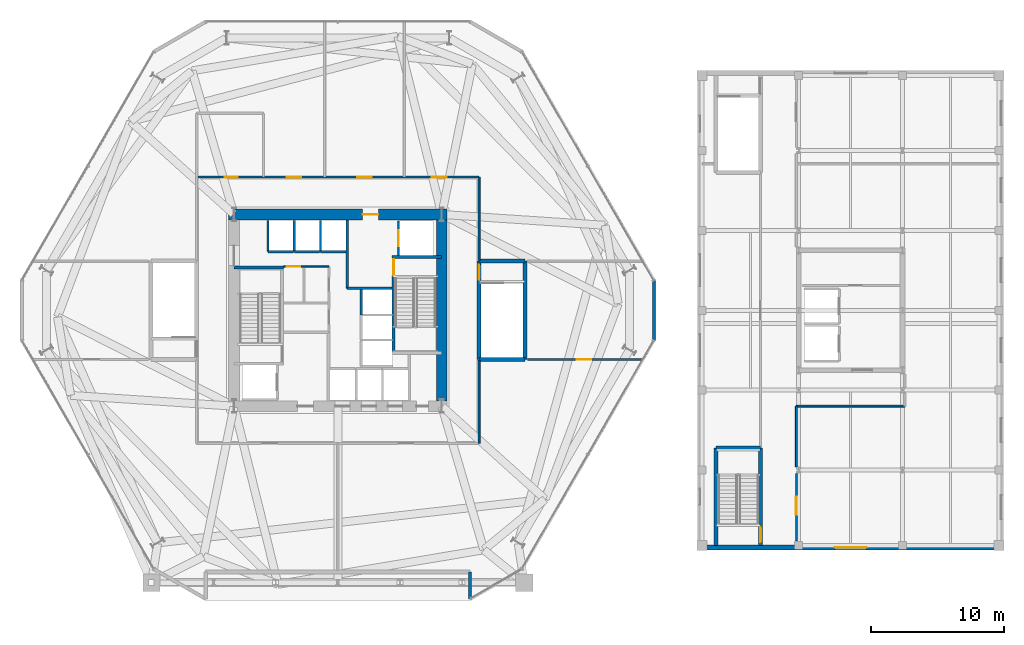
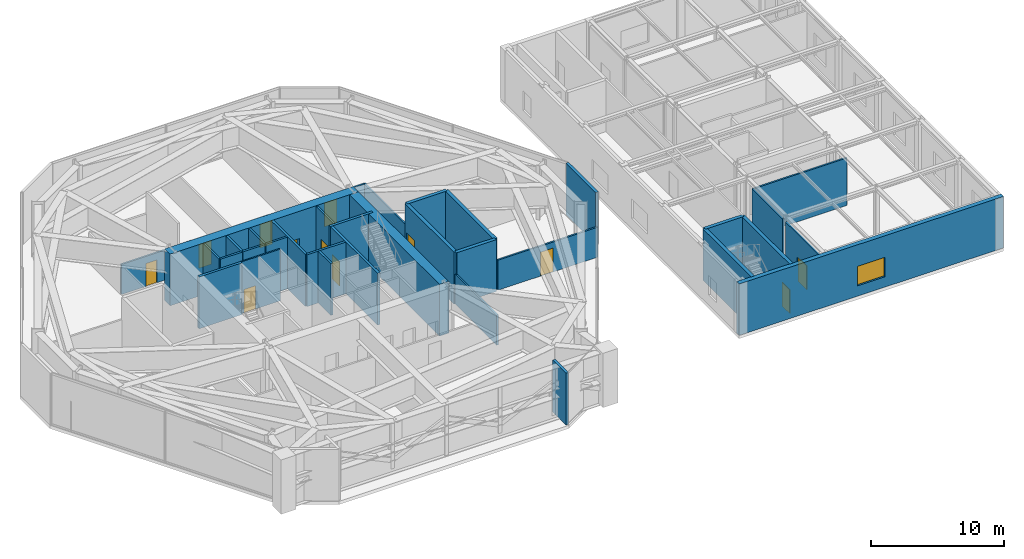
# One storey, part 12 of 16: 33 walls, 12 doors, 1 window, 13 openings.
"""IFC4 building model written with IfcOpenShell, lengths in metres."""

from ifc_helpers import new_model, si_unit, direction, frame, frame_2d, origin, place, context, subcontext, project, spatial, rectangle, extrude, material, layer, layer_set, type_object, element, fill, save


model = new_model("IFC4")

# Units and contexts
model_context = context("Model", 3, precision=1e-05, world=origin(), true_north=direction((0.0, 1.0)))
body_context = subcontext(model_context, "Body", "Model", "MODEL_VIEW")
ifc_project = project(units=[si_unit("LENGTHUNIT", "METRE"), si_unit("AREAUNIT", "SQUARE_METRE"), si_unit("VOLUMEUNIT", "CUBIC_METRE"), si_unit("PLANEANGLEUNIT", "RADIAN"), si_unit("MASSUNIT", "GRAM", prefix="KILO")], contexts=[model_context])

# Site, building, storey
site_placement = place(None, origin())
site = spatial("IfcSite", under=ifc_project, at=site_placement, CompositionType="ELEMENT")
building_placement = place(site_placement, origin())
building = spatial("IfcBuilding", under=site, at=building_placement, Name="Kranzbogen Civic Tower", CompositionType="ELEMENT")
storey_placement = place(building_placement, frame((0.0, 0.0, 19.0)))
storey = spatial("IfcBuildingStorey", under=building, at=storey_placement, Name="L04", CompositionType="ELEMENT", Elevation=19.0)

# Wall, openings, doors
ifc_material_1 = material(Name="Double-Stud Acoustic Gypsum Partition")
ifc_layer_1 = layer(ifc_material_1, 0.14990234375, Name="Double-Stud Acoustic Gypsum Partition")
ifc_layer_set_1 = layer_set([ifc_layer_1], Name="Double-Stud Acoustic Gypsum Partition")
wall_type_1 = type_object("IfcWallType", Name="Acoustic Corridor and Clinical Partition 150 mm", PredefinedType="PARTITIONING", material=ifc_layer_set_1)
wall_1_placement = place(storey_placement, frame((14.39990234375, 35.0, 0.0), z_axis=(0.0, 0.0, 1.0), x_axis=(1.0, 0.0, 0.0)))
wall_1 = element("IfcWall", 1, at=wall_1_placement, inside=storey, type_object=wall_type_1, Name="L04 podium concourse N wall", PredefinedType="PARTITIONING", context=body_context, shape_type="SweptSolid", body=[
    extrude(rectangle(XDim=21.2001953125, YDim=0.14990234375, at=frame_2d((10.60009765625, 0.0))), origin(), (0.0, 0.0, 1.0), 2.760009765625),
])
opening_1_placement = place(wall_1_placement, frame((2.1201171875, 0.0, 0.0)))
opening_1 = element("IfcOpeningElement", 2, at=opening_1_placement, cuts=wall_1, Name="Opening D-AWC95", PredefinedType="OPENING", context=body_context, shape_type="SweptSolid", body=[
    extrude(rectangle(XDim=0.949951171875, YDim=2.10009765625, at=frame_2d((0.47509765625, 1.050048828125))), frame((0.0, 0.0849609375, 0.0), z_axis=(0.0, -1.0, 0.0), x_axis=(1.0, 0.0, 0.0)), (0.0, 0.0, 1.0), 0.169921875),
])
opening_2_placement = place(wall_1_placement, frame((6.75, 0.0, 0.0)))
opening_2 = element("IfcOpeningElement", 3, at=opening_2_placement, cuts=wall_1, Name="Opening D-COR60", PredefinedType="OPENING", context=body_context, shape_type="SweptSolid", body=[
    extrude(rectangle(XDim=1.10009765625, YDim=2.199951171875, at=frame_2d((0.550048828125, 1.10009765625))), frame((0.0, 0.0849609375, 0.0), z_axis=(0.0, -1.0, 0.0), x_axis=(1.0, 0.0, 0.0)), (0.0, 0.0, 1.0), 0.169921875),
])
opening_3_placement = place(wall_1_placement, frame((17.666015625, 0.0, 0.0)))
opening_3 = element("IfcOpeningElement", 4, at=opening_3_placement, cuts=wall_1, Name="Opening D-COR60", PredefinedType="OPENING", context=body_context, shape_type="SweptSolid", body=[
    extrude(rectangle(XDim=1.10009765625, YDim=2.199951171875, at=frame_2d((0.550048828125, 1.10009765625))), frame((0.0, 0.0849609375, 0.0), z_axis=(0.0, -1.0, 0.0), x_axis=(1.0, 0.0, 0.0)), (0.0, 0.0, 1.0), 0.169921875),
])
opening_4_placement = place(wall_1_placement, frame((12.050048828125, 0.0, 0.0)))
opening_4 = element("IfcOpeningElement", 5, at=opening_4_placement, cuts=wall_1, Name="Opening D-COR60", PredefinedType="OPENING", context=body_context, shape_type="SweptSolid", body=[
    extrude(rectangle(XDim=1.10009765625, YDim=2.199951171875, at=frame_2d((0.550048828125, 1.10009765625))), frame((0.0, 0.0849609375, 0.0), z_axis=(0.0, -1.0, 0.0), x_axis=(1.0, 0.0, 0.0)), (0.0, 0.0, 1.0), 0.169921875),
])
ifc_material_2 = material(Name="Moisture-Resistant Laminate")
door_type_1 = type_object("IfcDoorType", Name="Accessible Restroom Door 950x2100", OperationType="NOTDEFINED", PredefinedType="DOOR", material=ifc_material_2)
door_1_placement = place(opening_1_placement, origin())
door_1 = element("IfcDoor", 6, at=door_1_placement, inside=storey, type_object=door_type_1, Name="L04 Public Restroom Suite door", OperationType="SINGLE_SWING_LEFT", OverallHeight=2.10009765625, OverallWidth=0.949951171875, PredefinedType="DOOR", context=body_context, shape_type="SweptSolid", body=[
    extrude(rectangle(XDim=0.949951171875, YDim=2.10009765625, at=frame_2d((0.47509765625, 1.050048828125))), frame((0.0, 0.02490234375, 0.0), z_axis=(0.0, -1.0, 0.0), x_axis=(1.0, 0.0, 0.0)), (0.0, 0.0, 1.0), 0.050048828125),
])
fill(opening_1, door_1)
ifc_material_3 = material(Name="Oak Timber and Fire Core", Category="wood")
door_type_2 = type_object("IfcDoorType", Name="Corridor Acoustic Fire Door 1100x2200", OperationType="NOTDEFINED", PredefinedType="DOOR", material=ifc_material_3)
door_2_placement = place(opening_2_placement, origin())
door_2 = element("IfcDoor", 7, at=door_2_placement, inside=storey, type_object=door_type_2, Name="L04 Exhibition and Model Gallery door", OperationType="SINGLE_SWING_RIGHT", OverallHeight=2.199951171875, OverallWidth=1.10009765625, PredefinedType="DOOR", context=body_context, shape_type="SweptSolid", body=[
    extrude(rectangle(XDim=1.10009765625, YDim=2.199951171875, at=frame_2d((0.550048828125, 1.10009765625))), frame((0.0, 0.02490234375, 0.0), z_axis=(0.0, -1.0, 0.0), x_axis=(1.0, 0.0, 0.0)), (0.0, 0.0, 1.0), 0.050048828125),
])
fill(opening_2, door_2)
door_3_placement = place(opening_3_placement, origin())
door_3 = element("IfcDoor", 8, at=door_3_placement, inside=storey, type_object=door_type_2, Name="L04 Transfer Structure Gallery door", OperationType="SINGLE_SWING_LEFT", OverallHeight=2.199951171875, OverallWidth=1.10009765625, PredefinedType="DOOR", context=body_context, shape_type="SweptSolid", body=[
    extrude(rectangle(XDim=1.10009765625, YDim=2.199951171875, at=frame_2d((0.550048828125, 1.10009765625))), frame((0.0, 0.02490234375, 0.0), z_axis=(0.0, -1.0, 0.0), x_axis=(1.0, 0.0, 0.0)), (0.0, 0.0, 1.0), 0.050048828125),
])
fill(opening_3, door_3)
door_4_placement = place(opening_4_placement, origin())
door_4 = element("IfcDoor", 9, at=door_4_placement, inside=storey, type_object=door_type_2, Name="L04 Staff Catering Lounge door", OperationType="SINGLE_SWING_RIGHT", OverallHeight=2.199951171875, OverallWidth=1.10009765625, PredefinedType="DOOR", context=body_context, shape_type="SweptSolid", body=[
    extrude(rectangle(XDim=1.10009765625, YDim=2.199951171875, at=frame_2d((0.550048828125, 1.10009765625))), frame((0.0, 0.02490234375, 0.0), z_axis=(0.0, -1.0, 0.0), x_axis=(1.0, 0.0, 0.0)), (0.0, 0.0, 1.0), 0.050048828125),
])
fill(opening_4, door_4)

# Walls
for number, where, z_axis, x_axis, name in (
    (10, (35.60009765625, 15.0, 0.0), (0.0, 0.0, 1.0), (0.0, 1.0, 0.0), "L04 podium concourse E1 wall"),
    (11, (35.60009765625, 28.75, 0.0), (0.0, 0.0, 1.0), (0.0, 1.0, 0.0), "L04 podium concourse E2 wall"),
):
    element("IfcWall", number, at=place(storey_placement, frame(where, z_axis=z_axis, x_axis=x_axis)), inside=storey, type_object=wall_type_1, Name=name, PredefinedType="PARTITIONING", context=body_context, shape_type="SweptSolid", body=[
        extrude(rectangle(XDim=6.25, YDim=0.14990234375, at=frame_2d((3.125, 0.0))), origin(), (0.0, 0.0, 1.0), 2.760009765625),
    ])

# Wall, opening, door
wall_2_placement = place(storey_placement, frame((39.22998046875, 21.300048828125, 0.0), z_axis=(0.0, 0.0, 1.0), x_axis=(1.0, 0.0, 0.0)))
wall_2 = element("IfcWall", 12, at=wall_2_placement, inside=storey, type_object=wall_type_1, Name="L04 podium partition 06", PredefinedType="PARTITIONING", context=body_context, shape_type="SweptSolid", body=[
    extrude(rectangle(XDim=8.68994140625, YDim=0.14990234375, at=frame_2d((4.344970703125, 0.0))), origin(), (0.0, 0.0, 1.0), 2.760009765625),
])
opening_5_placement = place(wall_2_placement, frame((3.7060546875, 0.0, 0.0)))
opening_5 = element("IfcOpeningElement", 13, at=opening_5_placement, cuts=wall_2, Name="Opening D-COR60", PredefinedType="OPENING", context=body_context, shape_type="SweptSolid", body=[
    extrude(rectangle(XDim=1.10009765625, YDim=2.199951171875, at=frame_2d((0.550048828125, 1.10009765625))), frame((0.0, 0.0849609375, 0.0), z_axis=(0.0, -1.0, 0.0), x_axis=(1.0, 0.0, 0.0)), (0.0, 0.0, 1.0), 0.169921875),
])
door_5_placement = place(opening_5_placement, origin())
door_5 = element("IfcDoor", 14, at=door_5_placement, inside=storey, type_object=door_type_2, Name="L04 Press Conference Room door", OperationType="SINGLE_SWING_RIGHT", OverallHeight=2.199951171875, OverallWidth=1.10009765625, PredefinedType="DOOR", context=body_context, shape_type="SweptSolid", body=[
    extrude(rectangle(XDim=1.10009765625, YDim=2.199951171875, at=frame_2d((0.550048828125, 1.10009765625))), frame((0.0, 0.02490234375, 0.0), z_axis=(0.0, -1.0, 0.0), x_axis=(1.0, 0.0, 0.0)), (0.0, 0.0, 1.0), 0.050048828125),
])
fill(opening_5, door_5)

wall_3_placement = place(storey_placement, frame((59.425048828125, 7.68994140625, 0.0), z_axis=(0.0, 0.0, 1.0), x_axis=(0.0, 1.0, 0.0)))
wall_3 = element("IfcWall", 15, at=wall_3_placement, inside=storey, type_object=wall_type_1, Name="L04 clinical corridor E1 wall part 1", PredefinedType="PARTITIONING", context=body_context, shape_type="SweptSolid", body=[
    extrude(rectangle(XDim=5.070068359375, YDim=0.14990234375, at=frame_2d((2.53515625, 0.0))), origin(), (0.0, 0.0, 1.0), 4.3701171875),
])
opening_6_placement = place(wall_3_placement, frame((1.948974609375, 0.0, 0.0)))
opening_6 = element("IfcOpeningElement", 16, at=opening_6_placement, cuts=wall_3, Name="Opening D-CLN60", PredefinedType="OPENING", context=body_context, shape_type="SweptSolid", body=[
    extrude(rectangle(XDim=1.35009765625, YDim=2.199951171875, at=frame_2d((0.675048828125, 1.10009765625))), frame((0.0, 0.0849609375, 0.0), z_axis=(0.0, -1.0, 0.0), x_axis=(1.0, 0.0, 0.0)), (0.0, 0.0, 1.0), 0.169921875),
])
ifc_material_4 = material(Name="Pale Anodised Aluminium", Category="aluminium")
door_type_3 = type_object("IfcDoorType", Name="Clinical Wide Leaf Door 1350x2200", OperationType="NOTDEFINED", PredefinedType="DOOR", material=ifc_material_4)
door_6_placement = place(opening_6_placement, origin())
door_6 = element("IfcDoor", 17, at=door_6_placement, inside=storey, type_object=door_type_3, Name="L04 Sterile Instrument Store door", OperationType="SINGLE_SWING_LEFT", OverallHeight=2.199951171875, OverallWidth=1.35009765625, PredefinedType="DOOR", context=body_context, shape_type="SweptSolid", body=[
    extrude(rectangle(XDim=1.35009765625, YDim=2.199951171875, at=frame_2d((0.675048828125, 1.10009765625))), frame((0.0, 0.02490234375, 0.0), z_axis=(0.0, -1.0, 0.0), x_axis=(1.0, 0.0, 0.0)), (0.0, 0.0, 1.0), 0.050048828125),
])
fill(opening_6, door_6)

# Walls
wall_4_placement = place(storey_placement, frame((59.425048828125, 13.239990234375, 0.0), z_axis=(0.0, 0.0, 1.0), x_axis=(0.0, 1.0, 0.0)))
element("IfcWall", 18, at=wall_4_placement, inside=storey, type_object=wall_type_1, Name="L04 clinical corridor E1 wall part 2", PredefinedType="PARTITIONING", context=body_context, shape_type="SweptSolid", body=[
    extrude(rectangle(XDim=4.56005859375, YDim=0.14990234375, at=frame_2d((2.280029296875, 0.0))), origin(), (0.0, 0.0, 1.0), 4.3701171875),
])
wall_5_placement = place(storey_placement, frame((59.425048828125, 17.800048828125, 0.0), z_axis=(0.0, 0.0, 1.0), x_axis=(1.0, 0.0, 0.0)))
element("IfcWall", 19, at=wall_5_placement, inside=storey, type_object=wall_type_1, Name="L04 clinical partition 02", PredefinedType="PARTITIONING", context=body_context, shape_type="SweptSolid", body=[
    extrude(rectangle(XDim=8.14990234375, YDim=0.14990234375, at=frame_2d((4.074951171875, 0.0))), origin(), (0.0, 0.0, 1.0), 4.3701171875),
])

# Wall, opening, door
ifc_material_5 = material(Name="Insulated Metal-Stud Gypsum Partition")
ifc_layer_2 = layer(ifc_material_5, 0.125, Name="Insulated Metal-Stud Gypsum Partition")
ifc_layer_set_2 = layer_set([ifc_layer_2], Name="Insulated Metal-Stud Gypsum Partition")
wall_type_2 = type_object("IfcWallType", Name="Acoustic Inter-Room Partition 125 mm", PredefinedType="PARTITIONING", material=ifc_layer_set_2)
wall_6_placement = place(storey_placement, frame((20.919921875, 28.280029296875, 0.0), z_axis=(0.0, 0.0, 1.0), x_axis=(1.0, 0.0, 0.0)))
wall_6 = element("IfcWall", 20, at=wall_6_placement, inside=storey, type_object=wall_type_2, Name="L04 core auxiliary North wall", PredefinedType="PARTITIONING", context=body_context, shape_type="SweptSolid", body=[
    extrude(rectangle(XDim=3.405029296875, YDim=0.125, at=frame_2d((1.70263671875, 0.0))), origin(), (0.0, 0.0, 1.0), 4.760009765625),
])
opening_7_placement = place(wall_6_placement, frame((0.2548828125, 0.0, 0.0)))
opening_7 = element("IfcOpeningElement", 21, at=opening_7_placement, cuts=wall_6, Name="Opening D-RSR10", PredefinedType="OPENING", context=body_context, shape_type="SweptSolid", body=[
    extrude(rectangle(XDim=1.0, YDim=2.14990234375, at=frame_2d((0.5, 1.074951171875))), frame((0.0, 0.072509765625, 0.0), z_axis=(0.0, -1.0, 0.0), x_axis=(1.0, 0.0, 0.0)), (0.0, 0.0, 1.0), 0.14501953125),
])
door_type_4 = type_object("IfcDoorType", Name="Core Archive and Riser Fire Door 1000x2150", OperationType="NOTDEFINED", PredefinedType="DOOR", material=ifc_material_3)
door_7_placement = place(opening_7_placement, origin())
door_7 = element("IfcDoor", 22, at=door_7_placement, inside=storey, type_object=door_type_4, Name="L04 Telecom and Riser Room door", OperationType="SINGLE_SWING_LEFT", OverallHeight=2.14990234375, OverallWidth=1.0, PredefinedType="DOOR", context=body_context, shape_type="SweptSolid", body=[
    extrude(rectangle(XDim=1.0, YDim=2.14990234375, at=frame_2d((0.5, 1.074951171875))), frame((0.0, 0.02490234375, 0.0), z_axis=(0.0, -1.0, 0.0), x_axis=(1.0, 0.0, 0.0)), (0.0, 0.0, 1.0), 0.050048828125),
])
fill(opening_7, door_7)

ifc_material_6 = material(Name="Concrete C55/67", Category="concrete")
ifc_layer_3 = layer(ifc_material_6, 0.800048828125, Name="Concrete C55/67")
ifc_layer_set_3 = layer_set([ifc_layer_3], Name="Concrete C55/67")
wall_type_3 = type_object("IfcWallType", Name="Central Core Shear Wall 800 mm", PredefinedType="SHEAR", material=ifc_layer_set_3)
wall_7_placement = place(storey_placement, frame((33.199951171875, 32.199951171875, 0.0), z_axis=(0.0, 0.0, 1.0), x_axis=(-1.0, 0.0, 0.0)))
wall_7 = element("IfcWall", 23, at=wall_7_placement, inside=storey, type_object=wall_type_3, Name="L04 central core North shear wall", PredefinedType="SHEAR", context=body_context, shape_type="SweptSolid", body=[
    extrude(rectangle(XDim=16.39990234375, YDim=0.800048828125, at=frame_2d((8.199951171875, 0.0))), origin(), (0.0, 0.0, 1.0), 4.760009765625),
])
opening_8_placement = place(wall_7_placement, frame((5.14990234375, 0.0, 0.0)))
opening_8 = element("IfcOpeningElement", 24, at=opening_8_placement, cuts=wall_7, Name="Opening D-EX120", PredefinedType="OPENING", context=body_context, shape_type="SweptSolid", body=[
    extrude(rectangle(XDim=1.199951171875, YDim=2.25, at=frame_2d((0.60009765625, 1.125))), frame((0.0, 0.41015625, 0.0), z_axis=(0.0, -1.0, 0.0), x_axis=(1.0, 0.0, 0.0)), (0.0, 0.0, 1.0), 0.820068359375),
])
ifc_material_7 = material(Name="Steel S355", Category="steel")
door_type_5 = type_object("IfcDoorType", Name="Exit Passageway Fire Door 1200x2250", OperationType="NOTDEFINED", PredefinedType="DOOR", material=ifc_material_7)
door_8_placement = place(opening_8_placement, origin())
door_8 = element("IfcDoor", 25, at=door_8_placement, inside=storey, type_object=door_type_5, Name="L04 East firefighting lobby corridor door", OperationType="SINGLE_SWING_LEFT", OverallHeight=2.25, OverallWidth=1.199951171875, PredefinedType="DOOR", context=body_context, shape_type="SweptSolid", body=[
    extrude(rectangle(XDim=1.199951171875, YDim=2.25, at=frame_2d((0.60009765625, 1.125))), frame((0.0, 0.02490234375, 0.0), z_axis=(0.0, -1.0, 0.0), x_axis=(1.0, 0.0, 0.0)), (0.0, 0.0, 1.0), 0.050048828125),
])
fill(opening_8, door_8)

# Walls
wall_8_placement = place(storey_placement, frame((32.800048828125, 18.199951171875, 0.0), z_axis=(0.0, 0.0, 1.0), x_axis=(0.0, 1.0, 0.0)))
element("IfcWall", 26, at=wall_8_placement, inside=storey, type_object=wall_type_3, Name="L04 central core East shear wall", PredefinedType="SHEAR", context=body_context, shape_type="SweptSolid", body=[
    extrude(rectangle(XDim=13.60009765625, YDim=0.800048828125, at=frame_2d((6.800048828125, 0.0))), origin(), (0.0, 0.0, 1.0), 4.760009765625),
])
ifc_material_8 = material(Name="Concrete C45/55", Category="concrete")
ifc_layer_4 = layer(ifc_material_8, 0.219970703125, Name="Concrete C45/55")
ifc_layer_set_4 = layer_set([ifc_layer_4], Name="Concrete C45/55")
wall_type_4 = type_object("IfcWallType", Name="Core Internal Stair Structural Wall 220 mm", PredefinedType="SOLIDWALL", material=ifc_layer_set_4)
wall_9_placement = place(storey_placement, frame((17.199951171875, 28.2099609375, 0.0), z_axis=(0.0, 0.0, 1.0), x_axis=(1.0, 0.0, 0.0)))
element("IfcWall", 27, at=wall_9_placement, inside=storey, type_object=wall_type_4, Name="L04 ST-T1 North structural stair wall", PredefinedType="SOLIDWALL", context=body_context, shape_type="SweptSolid", body=[
    extrude(rectangle(XDim=3.719970703125, YDim=0.219970703125, at=frame_2d((1.85986328125, 0.0))), origin(), (0.0, 0.0, 1.0), 4.760009765625),
])

# Wall, opening, door
wall_10_placement = place(storey_placement, frame((29.18994140625, 21.7900390625, 0.0), z_axis=(0.0, 0.0, 1.0), x_axis=(0.0, 1.0, 0.0)))
wall_10 = element("IfcWall", 28, at=wall_10_placement, inside=storey, type_object=wall_type_4, Name="L04 ST-T2 West structural stair wall", PredefinedType="SOLIDWALL", context=body_context, shape_type="SweptSolid", body=[
    extrude(rectangle(XDim=7.219970703125, YDim=0.219970703125, at=frame_2d((3.60986328125, 0.0))), origin(), (0.0, 0.0, 1.0), 4.760009765625),
])
opening_9_placement = place(wall_10_placement, frame((5.8798828125, 0.0, 0.0)))
opening_9 = element("IfcOpeningElement", 29, at=opening_9_placement, cuts=wall_10, Name="Opening D-ST90", PredefinedType="OPENING", context=body_context, shape_type="SweptSolid", body=[
    extrude(rectangle(XDim=1.14990234375, YDim=2.199951171875, at=frame_2d((0.574951171875, 1.10009765625))), frame((0.0, 0.1201171875, 0.0), z_axis=(0.0, -1.0, 0.0), x_axis=(1.0, 0.0, 0.0)), (0.0, 0.0, 1.0), 0.239990234375),
])
door_type_6 = type_object("IfcDoorType", Name="Pressurized Stair and Lobby Fire Door 1150x2200", OperationType="NOTDEFINED", PredefinedType="DOOR", material=ifc_material_7)
door_9_placement = place(opening_9_placement, origin())
door_9 = element("IfcDoor", 30, at=door_9_placement, inside=storey, type_object=door_type_6, Name="L04 Stair ST-T2 fire door", OperationType="SINGLE_SWING_LEFT", OverallHeight=2.199951171875, OverallWidth=1.14990234375, PredefinedType="DOOR", context=body_context, shape_type="SweptSolid", body=[
    extrude(rectangle(XDim=1.14990234375, YDim=2.199951171875, at=frame_2d((0.574951171875, 1.10009765625))), frame((0.0, 0.02490234375, 0.0), z_axis=(0.0, -1.0, 0.0), x_axis=(1.0, 0.0, 0.0)), (0.0, 0.0, 1.0), 0.050048828125),
])
fill(opening_9, door_9)

# Walls
wall_11_placement = place(storey_placement, frame((29.080078125, 29.010009765625, 0.0), z_axis=(0.0, 0.0, 1.0), x_axis=(1.0, 0.0, 0.0)))
element("IfcWall", 31, at=wall_11_placement, inside=storey, type_object=wall_type_4, Name="L04 ST-T2 North structural stair wall", PredefinedType="SOLIDWALL", context=body_context, shape_type="SweptSolid", body=[
    extrude(rectangle(XDim=3.719970703125, YDim=0.219970703125, at=frame_2d((1.85986328125, 0.0))), origin(), (0.0, 0.0, 1.0), 4.760009765625),
])
ifc_material_9 = material(Name="Gypsum Fireboard and Concrete Block", Category="concrete")
ifc_layer_5 = layer(ifc_material_9, 0.199951171875, Name="Gypsum Fireboard and Concrete Block")
ifc_layer_set_5 = layer_set([ifc_layer_5], Name="Gypsum Fireboard and Concrete Block")
wall_type_5 = type_object("IfcWallType", Name="Fire-Rated Exit Passageway and Stair Wall 200 mm", PredefinedType="PARTITIONING", material=ifc_layer_set_5)
wall_12_placement = place(storey_placement, frame((25.699951171875, 26.64990234375, 0.0), z_axis=(0.0, 0.0, 1.0), x_axis=(0.0, 1.0, 0.0)))
element("IfcWall", 32, at=wall_12_placement, inside=storey, type_object=wall_type_5, Name="L04 East firefighting lobby West wall", PredefinedType="PARTITIONING", context=body_context, shape_type="SweptSolid", body=[
    extrude(rectangle(XDim=5.150146484375, YDim=0.199951171875, at=frame_2d((2.5751953125, 0.0))), origin(), (0.0, 0.0, 1.0), 4.760009765625),
])
wall_13_placement = place(storey_placement, frame((25.699951171875, 26.64990234375, 0.0), z_axis=(0.0, 0.0, 1.0), x_axis=(1.0, 0.0, 0.0)))
element("IfcWall", 33, at=wall_13_placement, inside=storey, type_object=wall_type_5, Name="L04 East firefighting lobby South wall", PredefinedType="PARTITIONING", context=body_context, shape_type="SweptSolid", body=[
    extrude(rectangle(XDim=3.380126953125, YDim=0.199951171875, at=frame_2d((1.68994140625, 0.0))), origin(), (0.0, 0.0, 1.0), 4.760009765625),
])
ifc_material_10 = material(Name="Gypsum Fireboard Shaftliner")
ifc_layer_6 = layer(ifc_material_10, 0.175048828125, Name="Gypsum Fireboard Shaftliner")
ifc_layer_set_6 = layer_set([ifc_layer_6], Name="Gypsum Fireboard Shaftliner")
wall_type_6 = type_object("IfcWallType", Name="Fire-Rated Lift and Service Shaft Wall 175 mm", PredefinedType="PARTITIONING", material=ifc_layer_set_6)
wall_14_placement = place(storey_placement, frame((19.75, 29.39990234375, 0.0), z_axis=(0.0, 0.0, 1.0), x_axis=(1.0, 0.0, 0.0)))
element("IfcWall", 34, at=wall_14_placement, inside=storey, type_object=wall_type_6, Name="L04 lift MP-01 rear wall", PredefinedType="PARTITIONING", context=body_context, shape_type="SweptSolid", body=[
    extrude(rectangle(XDim=1.89990234375, YDim=0.175048828125, at=frame_2d((0.949951171875, 0.0))), origin(), (0.0, 0.0, 1.0), 4.760009765625),
])
wall_15_placement = place(storey_placement, frame((19.75, 29.39990234375, 0.0), z_axis=(0.0, 0.0, 1.0), x_axis=(0.0, 1.0, 0.0)))
element("IfcWall", 35, at=wall_15_placement, inside=storey, type_object=wall_type_6, Name="L04 lift MP-01 side wall", PredefinedType="PARTITIONING", context=body_context, shape_type="SweptSolid", body=[
    extrude(rectangle(XDim=2.35009765625, YDim=0.175048828125, at=frame_2d((1.175048828125, 0.0))), origin(), (0.0, 0.0, 1.0), 4.760009765625),
])
wall_16_placement = place(storey_placement, frame((21.72509765625, 29.39990234375, 0.0), z_axis=(0.0, 0.0, 1.0), x_axis=(1.0, 0.0, 0.0)))
element("IfcWall", 36, at=wall_16_placement, inside=storey, type_object=wall_type_6, Name="L04 lift MP-02 rear wall", PredefinedType="PARTITIONING", context=body_context, shape_type="SweptSolid", body=[
    extrude(rectangle(XDim=1.89990234375, YDim=0.175048828125, at=frame_2d((0.949951171875, 0.0))), origin(), (0.0, 0.0, 1.0), 4.760009765625),
])
wall_17_placement = place(storey_placement, frame((21.72509765625, 29.39990234375, 0.0), z_axis=(0.0, 0.0, 1.0), x_axis=(0.0, 1.0, 0.0)))
element("IfcWall", 37, at=wall_17_placement, inside=storey, type_object=wall_type_6, Name="L04 lift MP-02 side wall", PredefinedType="PARTITIONING", context=body_context, shape_type="SweptSolid", body=[
    extrude(rectangle(XDim=2.35009765625, YDim=0.175048828125, at=frame_2d((1.175048828125, 0.0))), origin(), (0.0, 0.0, 1.0), 4.760009765625),
])
wall_18_placement = place(storey_placement, frame((23.699951171875, 29.39990234375, 0.0), z_axis=(0.0, 0.0, 1.0), x_axis=(1.0, 0.0, 0.0)))
element("IfcWall", 38, at=wall_18_placement, inside=storey, type_object=wall_type_6, Name="L04 lift MP-03 rear wall", PredefinedType="PARTITIONING", context=body_context, shape_type="SweptSolid", body=[
    extrude(rectangle(XDim=1.900146484375, YDim=0.175048828125, at=frame_2d((0.9501953125, 0.0))), origin(), (0.0, 0.0, 1.0), 4.760009765625),
])
wall_19_placement = place(storey_placement, frame((23.699951171875, 29.39990234375, 0.0), z_axis=(0.0, 0.0, 1.0), x_axis=(0.0, 1.0, 0.0)))
element("IfcWall", 39, at=wall_19_placement, inside=storey, type_object=wall_type_6, Name="L04 lift MP-03 side wall", PredefinedType="PARTITIONING", context=body_context, shape_type="SweptSolid", body=[
    extrude(rectangle(XDim=2.35009765625, YDim=0.175048828125, at=frame_2d((1.175048828125, 0.0))), origin(), (0.0, 0.0, 1.0), 4.760009765625),
])
wall_20_placement = place(storey_placement, frame((26.75, 24.64990234375, 0.0), z_axis=(0.0, 0.0, 1.0), x_axis=(0.0, 1.0, 0.0)))
element("IfcWall", 40, at=wall_20_placement, inside=storey, type_object=wall_type_6, Name="L04 lift HP-03 landing wall", PredefinedType="PARTITIONING", context=body_context, shape_type="SweptSolid", body=[
    extrude(rectangle(XDim=1.900146484375, YDim=0.175048828125, at=frame_2d((0.9501953125, 0.0))), origin(), (0.0, 0.0, 1.0), 4.760009765625),
])

# Wall, opening, door
wall_21_placement = place(storey_placement, frame((29.550048828125, 29.10009765625, 0.0), z_axis=(0.0, 0.0, 1.0), x_axis=(0.0, 1.0, 0.0)))
wall_21 = element("IfcWall", 41, at=wall_21_placement, inside=storey, type_object=wall_type_6, Name="L04 lift FF-02 landing wall", PredefinedType="PARTITIONING", context=body_context, shape_type="SweptSolid", body=[
    extrude(rectangle(XDim=2.599853515625, YDim=0.175048828125, at=frame_2d((1.2998046875, 0.0))), origin(), (0.0, 0.0, 1.0), 4.760009765625),
])
opening_10_placement = place(wall_21_placement, frame((0.699951171875, 0.0, 0.0)))
opening_10 = element("IfcOpeningElement", 42, at=opening_10_placement, cuts=wall_21, Name="Opening LD-FF-02", PredefinedType="OPENING", context=body_context, shape_type="SweptSolid", body=[
    extrude(rectangle(XDim=1.199951171875, YDim=2.199951171875, at=frame_2d((0.60009765625, 1.10009765625))), frame((0.0, 0.09765625, 0.0), z_axis=(0.0, -1.0, 0.0), x_axis=(1.0, 0.0, 0.0)), (0.0, 0.0, 1.0), 0.195068359375),
])
door_type_7 = type_object("IfcDoorType", Name="Firefighting and Stretcher Lift Sliding Landing Door 1200x2200", OperationType="DOUBLE_DOOR_SLIDING", PredefinedType="DOOR", material=ifc_material_4)
door_10_placement = place(opening_10_placement, origin())
door_10 = element("IfcDoor", 43, at=door_10_placement, inside=storey, type_object=door_type_7, Name="L04 lift FF-02 sliding landing door", OperationType="DOUBLE_DOOR_SLIDING", OverallHeight=2.199951171875, OverallWidth=1.199951171875, PredefinedType="DOOR", context=body_context, shape_type="SweptSolid", body=[
    extrude(rectangle(XDim=1.199951171875, YDim=2.199951171875, at=frame_2d((0.60009765625, 1.10009765625))), frame((0.0, 0.02490234375, 0.0), z_axis=(0.0, -1.0, 0.0), x_axis=(1.0, 0.0, 0.0)), (0.0, 0.0, 1.0), 0.050048828125),
])
fill(opening_10, door_10)

# Wall, opening, window
ifc_material_11 = material(Name="Precast concrete C40/50", Category="concrete")
ifc_layer_7 = layer(ifc_material_11, 0.3798828125, Name="Precast concrete C40/50")
ifc_layer_set_7 = layer_set([ifc_layer_7], Name="Precast concrete C40/50")
wall_type_7 = type_object("IfcWallType", Name="Health Centre Insulated Precast Facade Wall 380 mm", PredefinedType="STANDARD", material=ifc_layer_set_7)
wall_22_placement = place(storey_placement, frame((75.0, 7.18994140625, 0.0), z_axis=(0.0, 0.0, 1.0), x_axis=(-1.0, 0.0, 0.0)))
wall_22 = element("IfcWall", 44, at=wall_22_placement, inside=storey, type_object=wall_type_7, Name="L04 Health Centre South facade wall", PredefinedType="STANDARD", context=body_context, shape_type="SweptSolid", body=[
    extrude(rectangle(XDim=23.0, YDim=0.3798828125, at=frame_2d((11.5, 0.0))), origin(), (0.0, 0.0, 1.0), 4.72998046875),
])
opening_11_placement = place(wall_22_placement, frame((10.300048828125, 0.0, 0.949951171875)))
opening_11 = element("IfcOpeningElement", 45, at=opening_11_placement, cuts=wall_22, Name="Opening W-HC24", PredefinedType="OPENING", context=body_context, shape_type="SweptSolid", body=[
    extrude(rectangle(XDim=2.39990234375, YDim=1.800048828125, at=frame_2d((1.199951171875, 0.89990234375))), frame((0.0, 0.199951171875, 0.0), z_axis=(0.0, -1.0, 0.0), x_axis=(1.0, 0.0, 0.0)), (0.0, 0.0, 1.0), 0.39990234375),
])
ifc_material_12 = material(Name="Low-E Triple Glazing Glass", Category="glass")
window_type = type_object("IfcWindowType", Name="Wide Clinical Window 2400x1800", PartitioningType="TRIPLE_PANEL_VERTICAL", PredefinedType="WINDOW", material=ifc_material_12)
window_placement = place(opening_11_placement, origin())
window = element("IfcWindow", 46, at=window_placement, inside=storey, type_object=window_type, Name="L04 Health Centre South window", OverallHeight=1.800048828125, OverallWidth=2.39990234375, PartitioningType="TRIPLE_PANEL_VERTICAL", PredefinedType="WINDOW", context=body_context, shape_type="SweptSolid", body=[
    extrude(rectangle(XDim=2.39990234375, YDim=1.800048828125, at=frame_2d((1.199951171875, 0.89990234375))), frame((0.0, 0.030029296875, 0.0), z_axis=(0.0, -1.0, 0.0), x_axis=(1.0, 0.0, 0.0)), (0.0, 0.0, 1.0), 0.06005859375),
])
fill(opening_11, window)

# Walls
ifc_layer_8 = layer(ifc_material_4, 0.239990234375, Name="Pale Anodised Aluminium")
ifc_layer_set_8 = layer_set([ifc_layer_8], Name="Pale Anodised Aluminium")
wall_type_8 = type_object("IfcWallType", Name="Insulated Aluminium Facade Portal Wall 240 mm", PredefinedType="STANDARD", material=ifc_layer_set_8)
wall_23_placement = place(storey_placement, frame((34.929931640625, 5.35009765625, 0.0), z_axis=(0.0, 0.0, 1.0), x_axis=(0.0, -1.0, 0.0)))
element("IfcWall", 47, at=wall_23_placement, inside=storey, type_object=wall_type_8, Name="L04 portal colonnade East return wall", PredefinedType="STANDARD", context=body_context, shape_type="SweptSolid", body=[
    extrude(rectangle(XDim=2.023193359375, YDim=0.239990234375, at=frame_2d((1.01171875, 0.0))), origin(), (0.0, 0.0, 1.0), 4.760009765625),
])
wall_24_placement = place(storey_placement, frame((48.73388671875, 22.762939453125, 0.0), z_axis=(0.0, 0.0, 1.0), x_axis=(0.0, 1.0, 0.0)))
element("IfcWall", 48, at=wall_24_placement, inside=storey, type_object=wall_type_8, Name="L04 chamfered corner facade spandrel 6", PredefinedType="STANDARD", context=body_context, shape_type="SweptSolid", body=[
    extrude(rectangle(XDim=4.47412109375, YDim=0.239990234375, at=frame_2d((2.237060546875, 0.0))), origin(), (0.0, 0.0, 1.0), 4.760009765625),
])

# Wall, opening, door
ifc_material_13 = material(Name="Concrete C40/50", Category="concrete")
ifc_layer_9 = layer(ifc_material_13, 0.300048828125, Name="Concrete C40/50")
ifc_layer_set_9 = layer_set([ifc_layer_9], Name="Concrete C40/50")
wall_type_9 = type_object("IfcWallType", Name="Structural Ramp and Stair Shaft Wall 300 mm", PredefinedType="SOLIDWALL", material=ifc_layer_set_9)
wall_25_placement = place(storey_placement, frame((56.75, 7.35009765625, 0.0), z_axis=(0.0, 0.0, 1.0), x_axis=(0.0, 1.0, 0.0)))
wall_25 = element("IfcWall", 49, at=wall_25_placement, inside=storey, type_object=wall_type_9, Name="L04 STH1 E structural stair wall", PredefinedType="SOLIDWALL", context=body_context, shape_type="SweptSolid", body=[
    extrude(rectangle(XDim=7.2998046875, YDim=0.300048828125, at=frame_2d((3.64990234375, 0.0))), origin(), (0.0, 0.0, 1.0), 4.72998046875),
])
opening_12_placement = place(wall_25_placement, frame((0.219970703125, 0.0, 0.0)))
opening_12 = element("IfcOpeningElement", 50, at=opening_12_placement, cuts=wall_25, Name="Opening D-ST90", PredefinedType="OPENING", context=body_context, shape_type="SweptSolid", body=[
    extrude(rectangle(XDim=1.14990234375, YDim=2.199951171875, at=frame_2d((0.574951171875, 1.10009765625))), frame((0.0, 0.16015625, 0.0), z_axis=(0.0, -1.0, 0.0), x_axis=(1.0, 0.0, 0.0)), (0.0, 0.0, 1.0), 0.320068359375),
])
door_11_placement = place(opening_12_placement, origin())
door_11 = element("IfcDoor", 51, at=door_11_placement, inside=storey, type_object=door_type_6, Name="L04 Health Centre Stair 1 fire door", OperationType="SINGLE_SWING_RIGHT", OverallHeight=2.199951171875, OverallWidth=1.14990234375, PredefinedType="DOOR", context=body_context, shape_type="SweptSolid", body=[
    extrude(rectangle(XDim=1.14990234375, YDim=2.199951171875, at=frame_2d((0.574951171875, 1.10009765625))), frame((0.0, 0.02490234375, 0.0), z_axis=(0.0, -1.0, 0.0), x_axis=(1.0, 0.0, 0.0)), (0.0, 0.0, 1.0), 0.050048828125),
])
fill(opening_12, door_11)

# Walls
wall_26_placement = place(storey_placement, frame((53.39990234375, 7.35009765625, 0.0), z_axis=(0.0, 0.0, 1.0), x_axis=(0.0, 1.0, 0.0)))
element("IfcWall", 52, at=wall_26_placement, inside=storey, type_object=wall_type_9, Name="L04 STH1 W structural stair wall", PredefinedType="SOLIDWALL", context=body_context, shape_type="SweptSolid", body=[
    extrude(rectangle(XDim=7.2998046875, YDim=0.300048828125, at=frame_2d((3.64990234375, 0.0))), origin(), (0.0, 0.0, 1.0), 4.72998046875),
])
wall_27_placement = place(storey_placement, frame((53.39990234375, 14.64990234375, 0.0), z_axis=(0.0, 0.0, 1.0), x_axis=(1.0, 0.0, 0.0)))
element("IfcWall", 53, at=wall_27_placement, inside=storey, type_object=wall_type_9, Name="L04 STH1 N structural stair wall", PredefinedType="SOLIDWALL", context=body_context, shape_type="SweptSolid", body=[
    extrude(rectangle(XDim=3.35009765625, YDim=0.300048828125, at=frame_2d((1.675048828125, 0.0))), origin(), (0.0, 0.0, 1.0), 4.72998046875),
])

# Wall, opening, door
wall_28_placement = place(storey_placement, frame((35.60009765625, 21.300048828125, 0.0), z_axis=(0.0, 0.0, 1.0), x_axis=(0.0, 1.0, 0.0)))
wall_28 = element("IfcWall", 54, at=wall_28_placement, inside=storey, type_object=wall_type_9, Name="L04 STP2 W structural stair wall", PredefinedType="SOLIDWALL", context=body_context, shape_type="SweptSolid", body=[
    extrude(rectangle(XDim=7.39990234375, YDim=0.300048828125, at=frame_2d((3.699951171875, 0.0))), origin(), (0.0, 0.0, 1.0), 4.760009765625),
])
opening_13_placement = place(wall_28_placement, frame((5.97998046875, 0.0, 0.0)))
opening_13 = element("IfcOpeningElement", 55, at=opening_13_placement, cuts=wall_28, Name="Opening D-ST90", PredefinedType="OPENING", context=body_context, shape_type="SweptSolid", body=[
    extrude(rectangle(XDim=1.14990234375, YDim=2.199951171875, at=frame_2d((0.574951171875, 1.10009765625))), frame((0.0, 0.16015625, 0.0), z_axis=(0.0, -1.0, 0.0), x_axis=(1.0, 0.0, 0.0)), (0.0, 0.0, 1.0), 0.320068359375),
])
door_12_placement = place(opening_13_placement, origin())
door_12 = element("IfcDoor", 56, at=door_12_placement, inside=storey, type_object=door_type_6, Name="L04 Podium Stair 2 fire door", OperationType="SINGLE_SWING_RIGHT", OverallHeight=2.199951171875, OverallWidth=1.14990234375, PredefinedType="DOOR", context=body_context, shape_type="SweptSolid", body=[
    extrude(rectangle(XDim=1.14990234375, YDim=2.199951171875, at=frame_2d((0.574951171875, 1.10009765625))), frame((0.0, 0.02490234375, 0.0), z_axis=(0.0, -1.0, 0.0), x_axis=(1.0, 0.0, 0.0)), (0.0, 0.0, 1.0), 0.050048828125),
])
fill(opening_13, door_12)

# Walls
wall_29_placement = place(storey_placement, frame((39.050048828125, 21.300048828125, 0.0), z_axis=(0.0, 0.0, 1.0), x_axis=(0.0, 1.0, 0.0)))
element("IfcWall", 57, at=wall_29_placement, inside=storey, type_object=wall_type_9, Name="L04 STP2 E structural stair wall", PredefinedType="SOLIDWALL", context=body_context, shape_type="SweptSolid", body=[
    extrude(rectangle(XDim=7.39990234375, YDim=0.300048828125, at=frame_2d((3.699951171875, 0.0))), origin(), (0.0, 0.0, 1.0), 4.760009765625),
])
for number, where, z_axis, x_axis, name in (
    (58, (35.60009765625, 21.300048828125, 0.0), (0.0, 0.0, 1.0), (1.0, 0.0, 0.0), "L04 STP2 S structural stair wall"),
    (59, (35.60009765625, 28.699951171875, 0.0), (0.0, 0.0, 1.0), (1.0, 0.0, 0.0), "L04 STP2 N structural stair wall"),
):
    element("IfcWall", number, at=place(storey_placement, frame(where, z_axis=z_axis, x_axis=x_axis)), inside=storey, type_object=wall_type_9, Name=name, PredefinedType="SOLIDWALL", context=body_context, shape_type="SweptSolid", body=[
        extrude(rectangle(XDim=3.449951171875, YDim=0.300048828125, at=frame_2d((1.72509765625, 0.0))), origin(), (0.0, 0.0, 1.0), 4.760009765625),
    ])

save(model, "model.ifc")
